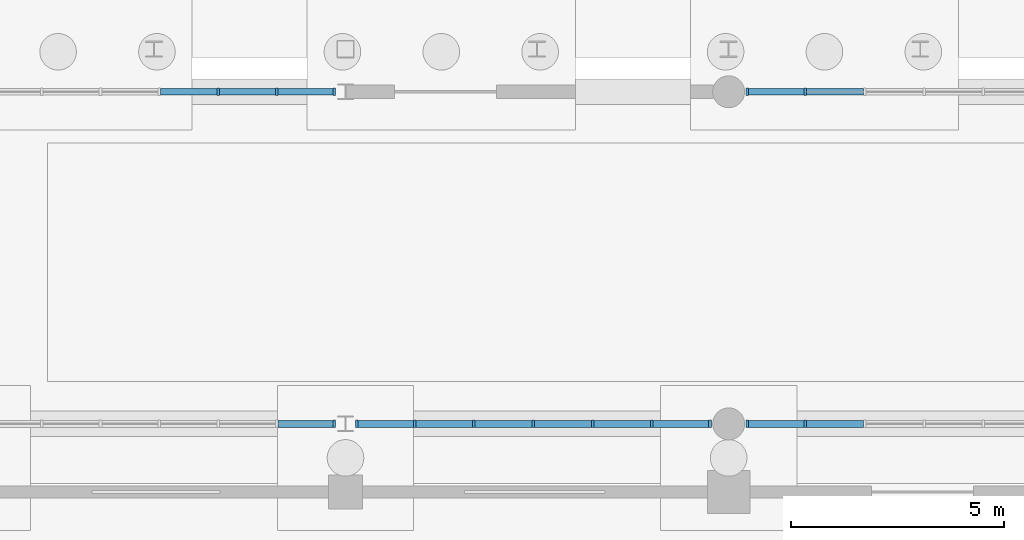
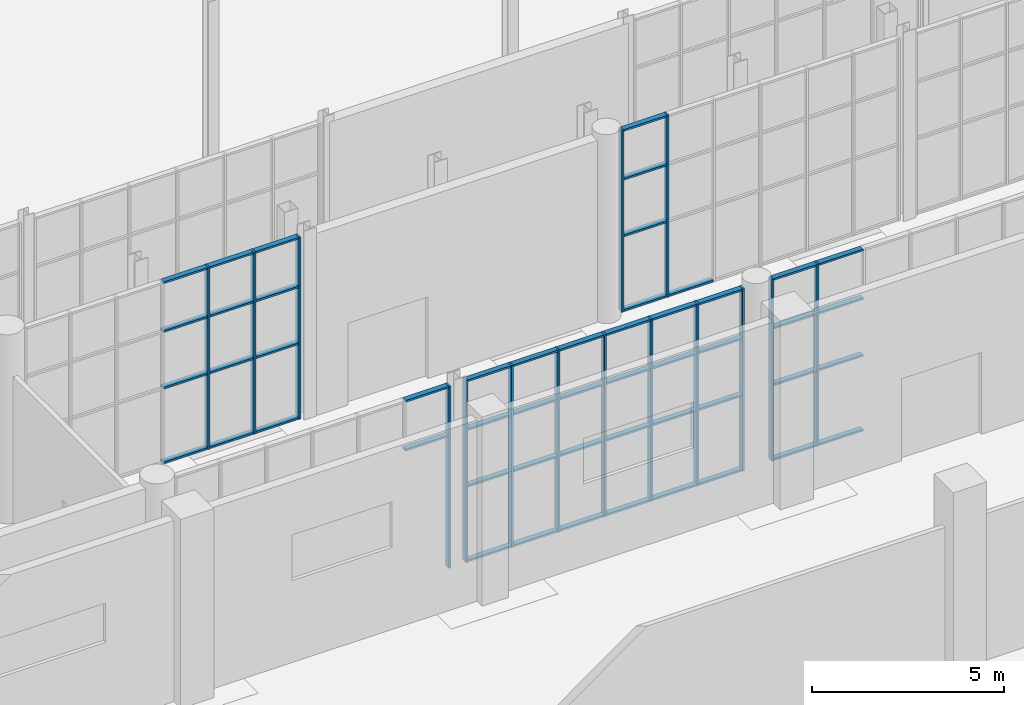
# One storey, part 47 of 131: 66 members, 5 elements without a shape of their own.
"""IFC4 building model written with IfcOpenShell, lengths in metres."""

from ifc_helpers import new_model, si_unit, direction, frame, origin, origin_2d, place, context, subcontext, project, spatial, rectangle, extrude, material, layer, layer_set, material_profile, profile_set, type_object, element, aggregate, save


model = new_model("IFC4")

# Units and contexts
model_context = context("Model", 3, precision=1e-05, world=origin(), true_north=direction((0.0, 1.0)))
body_context = subcontext(model_context, "Body", "Model", "MODEL_VIEW")
ifc_project = project(units=[si_unit("LENGTHUNIT", "METRE"), si_unit("AREAUNIT", "SQUARE_METRE"), si_unit("VOLUMEUNIT", "CUBIC_METRE"), si_unit("PLANEANGLEUNIT", "RADIAN"), si_unit("MASSUNIT", "GRAM", prefix="KILO")], contexts=[model_context])

# Site, building, storey
site_placement = place(None, origin())
site = spatial("IfcSite", under=ifc_project, at=site_placement, CompositionType="ELEMENT")
building_placement = place(site_placement, origin())
building = spatial("IfcBuilding", under=site, at=building_placement, Name="Cazmaro Siding Exhibition Halls", CompositionType="ELEMENT")
storey_placement = place(building_placement, origin())
storey = spatial("IfcBuildingStorey", under=building, at=storey_placement, Name="L00", CompositionType="ELEMENT", Elevation=0.0)

# Curtain wall, member
ifc_material_1 = material(Name="Anodized Bronze Aluminum and Solar-Control Low-E Glazing", Category="aluminium")
ifc_layer = layer(ifc_material_1, 0.179931640625)
ifc_layer_set = layer_set([ifc_layer], Name="Anodized Bronze Aluminum and Solar-Control Low-E Glazing")
curtain_wall_type = type_object("IfcCurtainWallType", Name="CWS-01", PredefinedType="USERDEFINED", material=ifc_layer_set)
curtain_wall_1_placement = place(storey_placement, origin())
curtain_wall_1 = element("IfcCurtainWall", 1, at=curtain_wall_1_placement, inside=storey, type_object=curtain_wall_type, Name="Glazed Curtain Wall CWS-01 CW-170", ObjectType="GLAZED CURTAIN WALL", PredefinedType="USERDEFINED")
ifc_material_2 = material(Name="Anodized Bronze Extruded Aluminum", Category="aluminium")
ifc_material_profile_1 = material_profile(ifc_material_2, rectangle(XDim=0.179931640625, YDim=0.06005859375, at=origin_2d()), Name="CWM-01")
ifc_profile_set_1 = profile_set([ifc_material_profile_1], Name="Anodized Bronze Extruded Aluminum")
member_type_1 = type_object("IfcMemberType", Name="CWM-01", PredefinedType="MULLION", material=ifc_profile_set_1)
member_1_placement = place(storey_placement, frame((98.739990234375, 55.199951171875, 0.0), z_axis=(0.0, 0.0, 1.0), x_axis=(0.0, 1.0, 0.0)))
member_1 = element("IfcMember", 2, at=member_1_placement, type_object=member_type_1, Name="CWS-01 mullion 7", PredefinedType="MULLION", context=body_context, shape_type="SweptSolid", body=[
    extrude(rectangle(XDim=0.179931640625, YDim=0.06005859375, at=origin_2d()), origin(), (0.0, 0.0, 1.0), 5.780029296875),
])

# Curtain wall, members
curtain_wall_2_placement = place(storey_placement, origin())
curtain_wall_2 = element("IfcCurtainWall", 3, at=curtain_wall_2_placement, inside=storey, type_object=curtain_wall_type, Name="Glazed Curtain Wall CWS-01 CW-171", ObjectType="GLAZED CURTAIN WALL", PredefinedType="USERDEFINED")
member_2_placement = place(storey_placement, frame((98.739990234375, 63.0, 0.0), z_axis=(0.0, 0.0, 1.0), x_axis=(0.0, -1.0, 0.0)))
member_2 = element("IfcMember", 4, at=member_2_placement, type_object=member_type_1, Name="CWS-01 mullion 1", PredefinedType="MULLION", context=body_context, shape_type="SweptSolid", body=[
    extrude(rectangle(XDim=0.179931640625, YDim=0.06005859375, at=origin_2d()), origin(), (0.0, 0.0, 1.0), 5.780029296875),
])
member_3_placement = place(storey_placement, frame((97.388916015625, 63.0, 0.0), z_axis=(0.0, 0.0, 1.0), x_axis=(0.0, -1.0, 0.0)))
member_3 = element("IfcMember", 5, at=member_3_placement, type_object=member_type_1, Name="CWS-01 mullion 2", PredefinedType="MULLION", context=body_context, shape_type="SweptSolid", body=[
    extrude(rectangle(XDim=0.179931640625, YDim=0.06005859375, at=origin_2d()), origin(), (0.0, 0.0, 1.0), 5.780029296875),
])
member_4_placement = place(storey_placement, frame((96.007568359375, 63.0, 0.0), z_axis=(0.0, 0.0, 1.0), x_axis=(0.0, -1.0, 0.0)))
member_4 = element("IfcMember", 6, at=member_4_placement, type_object=member_type_1, Name="CWS-01 mullion 3", PredefinedType="MULLION", context=body_context, shape_type="SweptSolid", body=[
    extrude(rectangle(XDim=0.179931640625, YDim=0.06005859375, at=origin_2d()), origin(), (0.0, 0.0, 1.0), 5.780029296875),
])

curtain_wall_3_placement = place(storey_placement, origin())
curtain_wall_3 = element("IfcCurtainWall", 7, at=curtain_wall_3_placement, inside=storey, type_object=curtain_wall_type, Name="Glazed Curtain Wall CWS-01 CW-176", ObjectType="GLAZED CURTAIN WALL", PredefinedType="USERDEFINED")
member_5_placement = place(storey_placement, frame((99.260009765625, 55.199951171875, 0.0), z_axis=(0.0, 0.0, 1.0), x_axis=(0.0, 1.0, 0.0)))
member_5 = element("IfcMember", 8, at=member_5_placement, type_object=member_type_1, Name="CWS-01 mullion 1", PredefinedType="MULLION", context=body_context, shape_type="SweptSolid", body=[
    extrude(rectangle(XDim=0.179931640625, YDim=0.06005859375, at=origin_2d()), origin(), (0.0, 0.0, 1.0), 5.780029296875),
])
member_6_placement = place(storey_placement, frame((100.623779296875, 55.199951171875, 0.0), z_axis=(0.0, 0.0, 1.0), x_axis=(0.0, 1.0, 0.0)))
member_6 = element("IfcMember", 9, at=member_6_placement, type_object=member_type_1, Name="CWS-01 mullion 2", PredefinedType="MULLION", context=body_context, shape_type="SweptSolid", body=[
    extrude(rectangle(XDim=0.179931640625, YDim=0.06005859375, at=origin_2d()), origin(), (0.0, 0.0, 1.0), 5.780029296875),
])
member_7_placement = place(storey_placement, frame((102.017333984375, 55.199951171875, 0.0), z_axis=(0.0, 0.0, 1.0), x_axis=(0.0, 1.0, 0.0)))
member_7 = element("IfcMember", 10, at=member_7_placement, type_object=member_type_1, Name="CWS-01 mullion 3", PredefinedType="MULLION", context=body_context, shape_type="SweptSolid", body=[
    extrude(rectangle(XDim=0.179931640625, YDim=0.06005859375, at=origin_2d()), origin(), (0.0, 0.0, 1.0), 5.780029296875),
])
member_8_placement = place(storey_placement, frame((103.410888671875, 55.199951171875, 0.0), z_axis=(0.0, 0.0, 1.0), x_axis=(0.0, 1.0, 0.0)))
member_8 = element("IfcMember", 11, at=member_8_placement, type_object=member_type_1, Name="CWS-01 mullion 4", PredefinedType="MULLION", context=body_context, shape_type="SweptSolid", body=[
    extrude(rectangle(XDim=0.179931640625, YDim=0.06005859375, at=origin_2d()), origin(), (0.0, 0.0, 1.0), 5.780029296875),
])
member_9_placement = place(storey_placement, frame((104.8046875, 55.199951171875, 0.0), z_axis=(0.0, 0.0, 1.0), x_axis=(0.0, 1.0, 0.0)))
member_9 = element("IfcMember", 12, at=member_9_placement, type_object=member_type_1, Name="CWS-01 mullion 5", PredefinedType="MULLION", context=body_context, shape_type="SweptSolid", body=[
    extrude(rectangle(XDim=0.179931640625, YDim=0.06005859375, at=origin_2d()), origin(), (0.0, 0.0, 1.0), 5.780029296875),
])
member_10_placement = place(storey_placement, frame((106.1982421875, 55.199951171875, 0.0), z_axis=(0.0, 0.0, 1.0), x_axis=(0.0, 1.0, 0.0)))
member_10 = element("IfcMember", 13, at=member_10_placement, type_object=member_type_1, Name="CWS-01 mullion 6", PredefinedType="MULLION", context=body_context, shape_type="SweptSolid", body=[
    extrude(rectangle(XDim=0.179931640625, YDim=0.06005859375, at=origin_2d()), origin(), (0.0, 0.0, 1.0), 5.780029296875),
])
member_11_placement = place(storey_placement, frame((107.56201171875, 55.199951171875, 0.0), z_axis=(0.0, 0.0, 1.0), x_axis=(0.0, 1.0, 0.0)))
member_11 = element("IfcMember", 14, at=member_11_placement, type_object=member_type_1, Name="CWS-01 mullion 7", PredefinedType="MULLION", context=body_context, shape_type="SweptSolid", body=[
    extrude(rectangle(XDim=0.179931640625, YDim=0.06005859375, at=origin_2d()), origin(), (0.0, 0.0, 1.0), 5.780029296875),
])

curtain_wall_4_placement = place(storey_placement, origin())
curtain_wall_4 = element("IfcCurtainWall", 15, at=curtain_wall_4_placement, inside=storey, type_object=curtain_wall_type, Name="Glazed Curtain Wall CWS-01 CW-179", ObjectType="GLAZED CURTAIN WALL", PredefinedType="USERDEFINED")
member_12_placement = place(storey_placement, frame((108.43798828125, 55.199951171875, 0.0), z_axis=(0.0, 0.0, 1.0), x_axis=(0.0, 1.0, 0.0)))
member_12 = element("IfcMember", 16, at=member_12_placement, type_object=member_type_1, Name="CWS-01 mullion 1", PredefinedType="MULLION", context=body_context, shape_type="SweptSolid", body=[
    extrude(rectangle(XDim=0.179931640625, YDim=0.06005859375, at=origin_2d()), origin(), (0.0, 0.0, 1.0), 5.780029296875),
])
member_13_placement = place(storey_placement, frame((109.8017578125, 55.199951171875, 0.0), z_axis=(0.0, 0.0, 1.0), x_axis=(0.0, 1.0, 0.0)))
member_13 = element("IfcMember", 17, at=member_13_placement, type_object=member_type_1, Name="CWS-01 mullion 2", PredefinedType="MULLION", context=body_context, shape_type="SweptSolid", body=[
    extrude(rectangle(XDim=0.179931640625, YDim=0.06005859375, at=origin_2d()), origin(), (0.0, 0.0, 1.0), 5.780029296875),
])

curtain_wall_5_placement = place(storey_placement, origin())
curtain_wall_5 = element("IfcCurtainWall", 18, at=curtain_wall_5_placement, inside=storey, type_object=curtain_wall_type, Name="Glazed Curtain Wall CWS-01 CW-180", ObjectType="GLAZED CURTAIN WALL", PredefinedType="USERDEFINED")
member_14_placement = place(storey_placement, frame((109.8017578125, 63.0, 0.0), z_axis=(0.0, 0.0, 1.0), x_axis=(0.0, -1.0, 0.0)))
member_14 = element("IfcMember", 19, at=member_14_placement, type_object=member_type_1, Name="CWS-01 mullion 6", PredefinedType="MULLION", context=body_context, shape_type="SweptSolid", body=[
    extrude(rectangle(XDim=0.179931640625, YDim=0.06005859375, at=origin_2d()), origin(), (0.0, 0.0, 1.0), 5.780029296875),
])
member_15_placement = place(storey_placement, frame((108.43798828125, 63.0, 0.0), z_axis=(0.0, 0.0, 1.0), x_axis=(0.0, -1.0, 0.0)))
member_15 = element("IfcMember", 20, at=member_15_placement, type_object=member_type_1, Name="CWS-01 mullion 7", PredefinedType="MULLION", context=body_context, shape_type="SweptSolid", body=[
    extrude(rectangle(XDim=0.179931640625, YDim=0.06005859375, at=origin_2d()), origin(), (0.0, 0.0, 1.0), 5.780029296875),
])

# Member
ifc_material_3 = material(Name="Anodized Bronze Extruded Aluminum", Category="aluminium")
ifc_material_profile_2 = material_profile(ifc_material_3, rectangle(XDim=0.159912109375, YDim=0.06005859375, at=origin_2d()), Name="CWT-01")
ifc_profile_set_2 = profile_set([ifc_material_profile_2], Name="Anodized Bronze Extruded Aluminum")
member_type_2 = type_object("IfcMemberType", Name="CWT-01", PredefinedType="MULLION", material=ifc_profile_set_2)
member_16_placement = place(storey_placement, frame((97.4189453125, 55.199951171875, 4.199951171875), z_axis=(1.0, 0.0, 0.0), x_axis=(0.0, 1.0, 0.0)))
member_16 = element("IfcMember", 21, at=member_16_placement, type_object=member_type_2, Name="CWS-01 transom 6.3", ObjectType="TRANSOM", PredefinedType="USERDEFINED", context=body_context, shape_type="SweptSolid", body=[
    extrude(rectangle(XDim=0.159912109375, YDim=0.06005859375, at=origin_2d()), origin(), (0.0, 0.0, 1.0), 1.291015625),
])

member_17_placement = place(storey_placement, frame((97.4189453125, 55.199951171875, 5.75), z_axis=(1.0, 0.0, 0.0), x_axis=(0.0, 1.0, 0.0)))
member_17 = element("IfcMember", 22, at=member_17_placement, type_object=member_type_2, Name="CWS-01 transom 6.4", ObjectType="TRANSOM", PredefinedType="USERDEFINED", context=body_context, shape_type="SweptSolid", body=[
    extrude(rectangle(XDim=0.159912109375, YDim=0.06005859375, at=origin_2d()), origin(), (0.0, 0.0, 1.0), 1.291015625),
])

aggregate(curtain_wall_1, [member_1, member_16, member_17])

member_18_placement = place(storey_placement, frame((98.7099609375, 63.0, 0.030029296875), z_axis=(-1.0, 0.0, 0.0), x_axis=(0.0, -1.0, 0.0)))
member_18 = element("IfcMember", 23, at=member_18_placement, type_object=member_type_2, Name="CWS-01 transom 1.1", ObjectType="TRANSOM", PredefinedType="USERDEFINED", context=body_context, shape_type="SweptSolid", body=[
    extrude(rectangle(XDim=0.159912109375, YDim=0.06005859375, at=origin_2d()), origin(), (0.0, 0.0, 1.0), 1.291015625),
])

member_19_placement = place(storey_placement, frame((98.7099609375, 63.0, 2.39990234375), z_axis=(-1.0, 0.0, 0.0), x_axis=(0.0, -1.0, 0.0)))
member_19 = element("IfcMember", 24, at=member_19_placement, type_object=member_type_2, Name="CWS-01 transom 1.2", ObjectType="TRANSOM", PredefinedType="USERDEFINED", context=body_context, shape_type="SweptSolid", body=[
    extrude(rectangle(XDim=0.159912109375, YDim=0.06005859375, at=origin_2d()), origin(), (0.0, 0.0, 1.0), 1.291015625),
])

member_20_placement = place(storey_placement, frame((98.7099609375, 63.0, 4.199951171875), z_axis=(-1.0, 0.0, 0.0), x_axis=(0.0, -1.0, 0.0)))
member_20 = element("IfcMember", 25, at=member_20_placement, type_object=member_type_2, Name="CWS-01 transom 1.3", ObjectType="TRANSOM", PredefinedType="USERDEFINED", context=body_context, shape_type="SweptSolid", body=[
    extrude(rectangle(XDim=0.159912109375, YDim=0.06005859375, at=origin_2d()), origin(), (0.0, 0.0, 1.0), 1.291015625),
])

member_21_placement = place(storey_placement, frame((98.7099609375, 63.0, 5.75), z_axis=(-1.0, 0.0, 0.0), x_axis=(0.0, -1.0, 0.0)))
member_21 = element("IfcMember", 26, at=member_21_placement, type_object=member_type_2, Name="CWS-01 transom 1.4", ObjectType="TRANSOM", PredefinedType="USERDEFINED", context=body_context, shape_type="SweptSolid", body=[
    extrude(rectangle(XDim=0.159912109375, YDim=0.06005859375, at=origin_2d()), origin(), (0.0, 0.0, 1.0), 1.291015625),
])

member_22_placement = place(storey_placement, frame((97.35888671875, 63.0, 0.030029296875), z_axis=(-1.0, 0.0, 0.0), x_axis=(0.0, -1.0, 0.0)))
member_22 = element("IfcMember", 27, at=member_22_placement, type_object=member_type_2, Name="CWS-01 transom 2.1", ObjectType="TRANSOM", PredefinedType="USERDEFINED", context=body_context, shape_type="SweptSolid", body=[
    extrude(rectangle(XDim=0.159912109375, YDim=0.06005859375, at=origin_2d()), origin(), (0.0, 0.0, 1.0), 1.3212890625),
])

member_23_placement = place(storey_placement, frame((97.35888671875, 63.0, 2.39990234375), z_axis=(-1.0, 0.0, 0.0), x_axis=(0.0, -1.0, 0.0)))
member_23 = element("IfcMember", 28, at=member_23_placement, type_object=member_type_2, Name="CWS-01 transom 2.2", ObjectType="TRANSOM", PredefinedType="USERDEFINED", context=body_context, shape_type="SweptSolid", body=[
    extrude(rectangle(XDim=0.159912109375, YDim=0.06005859375, at=origin_2d()), origin(), (0.0, 0.0, 1.0), 1.3212890625),
])

member_24_placement = place(storey_placement, frame((97.35888671875, 63.0, 4.199951171875), z_axis=(-1.0, 0.0, 0.0), x_axis=(0.0, -1.0, 0.0)))
member_24 = element("IfcMember", 29, at=member_24_placement, type_object=member_type_2, Name="CWS-01 transom 2.3", ObjectType="TRANSOM", PredefinedType="USERDEFINED", context=body_context, shape_type="SweptSolid", body=[
    extrude(rectangle(XDim=0.159912109375, YDim=0.06005859375, at=origin_2d()), origin(), (0.0, 0.0, 1.0), 1.3212890625),
])

member_25_placement = place(storey_placement, frame((97.35888671875, 63.0, 5.75), z_axis=(-1.0, 0.0, 0.0), x_axis=(0.0, -1.0, 0.0)))
member_25 = element("IfcMember", 30, at=member_25_placement, type_object=member_type_2, Name="CWS-01 transom 2.4", ObjectType="TRANSOM", PredefinedType="USERDEFINED", context=body_context, shape_type="SweptSolid", body=[
    extrude(rectangle(XDim=0.159912109375, YDim=0.06005859375, at=origin_2d()), origin(), (0.0, 0.0, 1.0), 1.3212890625),
])

member_26_placement = place(storey_placement, frame((95.977783203125, 63.0, 0.030029296875), z_axis=(-1.0, 0.0, 0.0), x_axis=(0.0, -1.0, 0.0)))
member_26 = element("IfcMember", 31, at=member_26_placement, type_object=member_type_2, Name="CWS-01 transom 3.1", ObjectType="TRANSOM", PredefinedType="USERDEFINED", context=body_context, shape_type="SweptSolid", body=[
    extrude(rectangle(XDim=0.159912109375, YDim=0.06005859375, at=origin_2d()), origin(), (0.0, 0.0, 1.0), 1.3212890625),
])

member_27_placement = place(storey_placement, frame((95.977783203125, 63.0, 2.39990234375), z_axis=(-1.0, 0.0, 0.0), x_axis=(0.0, -1.0, 0.0)))
member_27 = element("IfcMember", 32, at=member_27_placement, type_object=member_type_2, Name="CWS-01 transom 3.2", ObjectType="TRANSOM", PredefinedType="USERDEFINED", context=body_context, shape_type="SweptSolid", body=[
    extrude(rectangle(XDim=0.159912109375, YDim=0.06005859375, at=origin_2d()), origin(), (0.0, 0.0, 1.0), 1.3212890625),
])

member_28_placement = place(storey_placement, frame((95.977783203125, 63.0, 4.199951171875), z_axis=(-1.0, 0.0, 0.0), x_axis=(0.0, -1.0, 0.0)))
member_28 = element("IfcMember", 33, at=member_28_placement, type_object=member_type_2, Name="CWS-01 transom 3.3", ObjectType="TRANSOM", PredefinedType="USERDEFINED", context=body_context, shape_type="SweptSolid", body=[
    extrude(rectangle(XDim=0.159912109375, YDim=0.06005859375, at=origin_2d()), origin(), (0.0, 0.0, 1.0), 1.3212890625),
])

member_29_placement = place(storey_placement, frame((95.977783203125, 63.0, 5.75), z_axis=(-1.0, 0.0, 0.0), x_axis=(0.0, -1.0, 0.0)))
member_29 = element("IfcMember", 34, at=member_29_placement, type_object=member_type_2, Name="CWS-01 transom 3.4", ObjectType="TRANSOM", PredefinedType="USERDEFINED", context=body_context, shape_type="SweptSolid", body=[
    extrude(rectangle(XDim=0.159912109375, YDim=0.06005859375, at=origin_2d()), origin(), (0.0, 0.0, 1.0), 1.3212890625),
])

aggregate(curtain_wall_2, [member_2, member_3, member_4, member_18, member_19, member_20, member_21, member_22, member_23, member_24, member_25, member_26, member_27, member_28, member_29])

member_30_placement = place(storey_placement, frame((99.2900390625, 55.199951171875, 0.030029296875), z_axis=(1.0, 0.0, 0.0), x_axis=(0.0, 1.0, 0.0)))
member_30 = element("IfcMember", 35, at=member_30_placement, type_object=member_type_2, Name="CWS-01 transom 1.1", ObjectType="TRANSOM", PredefinedType="USERDEFINED", context=body_context, shape_type="SweptSolid", body=[
    extrude(rectangle(XDim=0.159912109375, YDim=0.06005859375, at=origin_2d()), origin(), (0.0, 0.0, 1.0), 1.3037109375),
])

member_31_placement = place(storey_placement, frame((99.2900390625, 55.199951171875, 2.39990234375), z_axis=(1.0, 0.0, 0.0), x_axis=(0.0, 1.0, 0.0)))
member_31 = element("IfcMember", 36, at=member_31_placement, type_object=member_type_2, Name="CWS-01 transom 1.2", ObjectType="TRANSOM", PredefinedType="USERDEFINED", context=body_context, shape_type="SweptSolid", body=[
    extrude(rectangle(XDim=0.159912109375, YDim=0.06005859375, at=origin_2d()), origin(), (0.0, 0.0, 1.0), 1.3037109375),
])

member_32_placement = place(storey_placement, frame((99.2900390625, 55.199951171875, 4.199951171875), z_axis=(1.0, 0.0, 0.0), x_axis=(0.0, 1.0, 0.0)))
member_32 = element("IfcMember", 37, at=member_32_placement, type_object=member_type_2, Name="CWS-01 transom 1.3", ObjectType="TRANSOM", PredefinedType="USERDEFINED", context=body_context, shape_type="SweptSolid", body=[
    extrude(rectangle(XDim=0.159912109375, YDim=0.06005859375, at=origin_2d()), origin(), (0.0, 0.0, 1.0), 1.3037109375),
])

member_33_placement = place(storey_placement, frame((99.2900390625, 55.199951171875, 5.75), z_axis=(1.0, 0.0, 0.0), x_axis=(0.0, 1.0, 0.0)))
member_33 = element("IfcMember", 38, at=member_33_placement, type_object=member_type_2, Name="CWS-01 transom 1.4", ObjectType="TRANSOM", PredefinedType="USERDEFINED", context=body_context, shape_type="SweptSolid", body=[
    extrude(rectangle(XDim=0.159912109375, YDim=0.06005859375, at=origin_2d()), origin(), (0.0, 0.0, 1.0), 1.3037109375),
])

member_34_placement = place(storey_placement, frame((100.653564453125, 55.199951171875, 0.030029296875), z_axis=(1.0, 0.0, 0.0), x_axis=(0.0, 1.0, 0.0)))
member_34 = element("IfcMember", 39, at=member_34_placement, type_object=member_type_2, Name="CWS-01 transom 2.1", ObjectType="TRANSOM", PredefinedType="USERDEFINED", context=body_context, shape_type="SweptSolid", body=[
    extrude(rectangle(XDim=0.159912109375, YDim=0.06005859375, at=origin_2d()), origin(), (0.0, 0.0, 1.0), 1.333740234375),
])

member_35_placement = place(storey_placement, frame((100.653564453125, 55.199951171875, 2.39990234375), z_axis=(1.0, 0.0, 0.0), x_axis=(0.0, 1.0, 0.0)))
member_35 = element("IfcMember", 40, at=member_35_placement, type_object=member_type_2, Name="CWS-01 transom 2.2", ObjectType="TRANSOM", PredefinedType="USERDEFINED", context=body_context, shape_type="SweptSolid", body=[
    extrude(rectangle(XDim=0.159912109375, YDim=0.06005859375, at=origin_2d()), origin(), (0.0, 0.0, 1.0), 1.333740234375),
])

member_36_placement = place(storey_placement, frame((100.653564453125, 55.199951171875, 4.199951171875), z_axis=(1.0, 0.0, 0.0), x_axis=(0.0, 1.0, 0.0)))
member_36 = element("IfcMember", 41, at=member_36_placement, type_object=member_type_2, Name="CWS-01 transom 2.3", ObjectType="TRANSOM", PredefinedType="USERDEFINED", context=body_context, shape_type="SweptSolid", body=[
    extrude(rectangle(XDim=0.159912109375, YDim=0.06005859375, at=origin_2d()), origin(), (0.0, 0.0, 1.0), 1.333740234375),
])

member_37_placement = place(storey_placement, frame((100.653564453125, 55.199951171875, 5.75), z_axis=(1.0, 0.0, 0.0), x_axis=(0.0, 1.0, 0.0)))
member_37 = element("IfcMember", 42, at=member_37_placement, type_object=member_type_2, Name="CWS-01 transom 2.4", ObjectType="TRANSOM", PredefinedType="USERDEFINED", context=body_context, shape_type="SweptSolid", body=[
    extrude(rectangle(XDim=0.159912109375, YDim=0.06005859375, at=origin_2d()), origin(), (0.0, 0.0, 1.0), 1.333740234375),
])

member_38_placement = place(storey_placement, frame((102.04736328125, 55.199951171875, 0.030029296875), z_axis=(1.0, 0.0, 0.0), x_axis=(0.0, 1.0, 0.0)))
member_38 = element("IfcMember", 43, at=member_38_placement, type_object=member_type_2, Name="CWS-01 transom 3.1", ObjectType="TRANSOM", PredefinedType="USERDEFINED", context=body_context, shape_type="SweptSolid", body=[
    extrude(rectangle(XDim=0.159912109375, YDim=0.06005859375, at=origin_2d()), origin(), (0.0, 0.0, 1.0), 1.333740234375),
])

member_39_placement = place(storey_placement, frame((102.04736328125, 55.199951171875, 2.39990234375), z_axis=(1.0, 0.0, 0.0), x_axis=(0.0, 1.0, 0.0)))
member_39 = element("IfcMember", 44, at=member_39_placement, type_object=member_type_2, Name="CWS-01 transom 3.2", ObjectType="TRANSOM", PredefinedType="USERDEFINED", context=body_context, shape_type="SweptSolid", body=[
    extrude(rectangle(XDim=0.159912109375, YDim=0.06005859375, at=origin_2d()), origin(), (0.0, 0.0, 1.0), 1.333740234375),
])

member_40_placement = place(storey_placement, frame((102.04736328125, 55.199951171875, 4.199951171875), z_axis=(1.0, 0.0, 0.0), x_axis=(0.0, 1.0, 0.0)))
member_40 = element("IfcMember", 45, at=member_40_placement, type_object=member_type_2, Name="CWS-01 transom 3.3", ObjectType="TRANSOM", PredefinedType="USERDEFINED", context=body_context, shape_type="SweptSolid", body=[
    extrude(rectangle(XDim=0.159912109375, YDim=0.06005859375, at=origin_2d()), origin(), (0.0, 0.0, 1.0), 1.333740234375),
])

member_41_placement = place(storey_placement, frame((102.04736328125, 55.199951171875, 5.75), z_axis=(1.0, 0.0, 0.0), x_axis=(0.0, 1.0, 0.0)))
member_41 = element("IfcMember", 46, at=member_41_placement, type_object=member_type_2, Name="CWS-01 transom 3.4", ObjectType="TRANSOM", PredefinedType="USERDEFINED", context=body_context, shape_type="SweptSolid", body=[
    extrude(rectangle(XDim=0.159912109375, YDim=0.06005859375, at=origin_2d()), origin(), (0.0, 0.0, 1.0), 1.333740234375),
])

member_42_placement = place(storey_placement, frame((103.44091796875, 55.199951171875, 0.030029296875), z_axis=(1.0, 0.0, 0.0), x_axis=(0.0, 1.0, 0.0)))
member_42 = element("IfcMember", 47, at=member_42_placement, type_object=member_type_2, Name="CWS-01 transom 4.1", ObjectType="TRANSOM", PredefinedType="USERDEFINED", context=body_context, shape_type="SweptSolid", body=[
    extrude(rectangle(XDim=0.159912109375, YDim=0.06005859375, at=origin_2d()), origin(), (0.0, 0.0, 1.0), 1.333740234375),
])

member_43_placement = place(storey_placement, frame((103.44091796875, 55.199951171875, 2.39990234375), z_axis=(1.0, 0.0, 0.0), x_axis=(0.0, 1.0, 0.0)))
member_43 = element("IfcMember", 48, at=member_43_placement, type_object=member_type_2, Name="CWS-01 transom 4.2", ObjectType="TRANSOM", PredefinedType="USERDEFINED", context=body_context, shape_type="SweptSolid", body=[
    extrude(rectangle(XDim=0.159912109375, YDim=0.06005859375, at=origin_2d()), origin(), (0.0, 0.0, 1.0), 1.333740234375),
])

member_44_placement = place(storey_placement, frame((103.44091796875, 55.199951171875, 4.199951171875), z_axis=(1.0, 0.0, 0.0), x_axis=(0.0, 1.0, 0.0)))
member_44 = element("IfcMember", 49, at=member_44_placement, type_object=member_type_2, Name="CWS-01 transom 4.3", ObjectType="TRANSOM", PredefinedType="USERDEFINED", context=body_context, shape_type="SweptSolid", body=[
    extrude(rectangle(XDim=0.159912109375, YDim=0.06005859375, at=origin_2d()), origin(), (0.0, 0.0, 1.0), 1.333740234375),
])

member_45_placement = place(storey_placement, frame((103.44091796875, 55.199951171875, 5.75), z_axis=(1.0, 0.0, 0.0), x_axis=(0.0, 1.0, 0.0)))
member_45 = element("IfcMember", 50, at=member_45_placement, type_object=member_type_2, Name="CWS-01 transom 4.4", ObjectType="TRANSOM", PredefinedType="USERDEFINED", context=body_context, shape_type="SweptSolid", body=[
    extrude(rectangle(XDim=0.159912109375, YDim=0.06005859375, at=origin_2d()), origin(), (0.0, 0.0, 1.0), 1.333740234375),
])

member_46_placement = place(storey_placement, frame((104.834716796875, 55.199951171875, 0.030029296875), z_axis=(1.0, 0.0, 0.0), x_axis=(0.0, 1.0, 0.0)))
member_46 = element("IfcMember", 51, at=member_46_placement, type_object=member_type_2, Name="CWS-01 transom 5.1", ObjectType="TRANSOM", PredefinedType="USERDEFINED", context=body_context, shape_type="SweptSolid", body=[
    extrude(rectangle(XDim=0.159912109375, YDim=0.06005859375, at=origin_2d()), origin(), (0.0, 0.0, 1.0), 1.33349609375),
])

member_47_placement = place(storey_placement, frame((104.834716796875, 55.199951171875, 2.39990234375), z_axis=(1.0, 0.0, 0.0), x_axis=(0.0, 1.0, 0.0)))
member_47 = element("IfcMember", 52, at=member_47_placement, type_object=member_type_2, Name="CWS-01 transom 5.2", ObjectType="TRANSOM", PredefinedType="USERDEFINED", context=body_context, shape_type="SweptSolid", body=[
    extrude(rectangle(XDim=0.159912109375, YDim=0.06005859375, at=origin_2d()), origin(), (0.0, 0.0, 1.0), 1.33349609375),
])

member_48_placement = place(storey_placement, frame((104.834716796875, 55.199951171875, 4.199951171875), z_axis=(1.0, 0.0, 0.0), x_axis=(0.0, 1.0, 0.0)))
member_48 = element("IfcMember", 53, at=member_48_placement, type_object=member_type_2, Name="CWS-01 transom 5.3", ObjectType="TRANSOM", PredefinedType="USERDEFINED", context=body_context, shape_type="SweptSolid", body=[
    extrude(rectangle(XDim=0.159912109375, YDim=0.06005859375, at=origin_2d()), origin(), (0.0, 0.0, 1.0), 1.33349609375),
])

member_49_placement = place(storey_placement, frame((104.834716796875, 55.199951171875, 5.75), z_axis=(1.0, 0.0, 0.0), x_axis=(0.0, 1.0, 0.0)))
member_49 = element("IfcMember", 54, at=member_49_placement, type_object=member_type_2, Name="CWS-01 transom 5.4", ObjectType="TRANSOM", PredefinedType="USERDEFINED", context=body_context, shape_type="SweptSolid", body=[
    extrude(rectangle(XDim=0.159912109375, YDim=0.06005859375, at=origin_2d()), origin(), (0.0, 0.0, 1.0), 1.33349609375),
])

member_50_placement = place(storey_placement, frame((106.228271484375, 55.199951171875, 0.030029296875), z_axis=(1.0, 0.0, 0.0), x_axis=(0.0, 1.0, 0.0)))
member_50 = element("IfcMember", 55, at=member_50_placement, type_object=member_type_2, Name="CWS-01 transom 6.1", ObjectType="TRANSOM", PredefinedType="USERDEFINED", context=body_context, shape_type="SweptSolid", body=[
    extrude(rectangle(XDim=0.159912109375, YDim=0.06005859375, at=origin_2d()), origin(), (0.0, 0.0, 1.0), 1.3037109375),
])

member_51_placement = place(storey_placement, frame((106.228271484375, 55.199951171875, 2.39990234375), z_axis=(1.0, 0.0, 0.0), x_axis=(0.0, 1.0, 0.0)))
member_51 = element("IfcMember", 56, at=member_51_placement, type_object=member_type_2, Name="CWS-01 transom 6.2", ObjectType="TRANSOM", PredefinedType="USERDEFINED", context=body_context, shape_type="SweptSolid", body=[
    extrude(rectangle(XDim=0.159912109375, YDim=0.06005859375, at=origin_2d()), origin(), (0.0, 0.0, 1.0), 1.3037109375),
])

member_52_placement = place(storey_placement, frame((106.228271484375, 55.199951171875, 4.199951171875), z_axis=(1.0, 0.0, 0.0), x_axis=(0.0, 1.0, 0.0)))
member_52 = element("IfcMember", 57, at=member_52_placement, type_object=member_type_2, Name="CWS-01 transom 6.3", ObjectType="TRANSOM", PredefinedType="USERDEFINED", context=body_context, shape_type="SweptSolid", body=[
    extrude(rectangle(XDim=0.159912109375, YDim=0.06005859375, at=origin_2d()), origin(), (0.0, 0.0, 1.0), 1.3037109375),
])

member_53_placement = place(storey_placement, frame((106.228271484375, 55.199951171875, 5.75), z_axis=(1.0, 0.0, 0.0), x_axis=(0.0, 1.0, 0.0)))
member_53 = element("IfcMember", 58, at=member_53_placement, type_object=member_type_2, Name="CWS-01 transom 6.4", ObjectType="TRANSOM", PredefinedType="USERDEFINED", context=body_context, shape_type="SweptSolid", body=[
    extrude(rectangle(XDim=0.159912109375, YDim=0.06005859375, at=origin_2d()), origin(), (0.0, 0.0, 1.0), 1.3037109375),
])

aggregate(curtain_wall_3, [member_5, member_6, member_7, member_8, member_9, member_10, member_11, member_30, member_31, member_32, member_33, member_34, member_35, member_36, member_37, member_38, member_39, member_40, member_41, member_42, member_43, member_44, member_45, member_46, member_47, member_48, member_49, member_50, member_51, member_52, member_53])

member_54_placement = place(storey_placement, frame((108.468017578125, 55.199951171875, 0.030029296875), z_axis=(1.0, 0.0, 0.0), x_axis=(0.0, 1.0, 0.0)))
member_54 = element("IfcMember", 59, at=member_54_placement, type_object=member_type_2, Name="CWS-01 transom 1.1", ObjectType="TRANSOM", PredefinedType="USERDEFINED", context=body_context, shape_type="SweptSolid", body=[
    extrude(rectangle(XDim=0.159912109375, YDim=0.06005859375, at=origin_2d()), origin(), (0.0, 0.0, 1.0), 1.3037109375),
])

member_55_placement = place(storey_placement, frame((108.468017578125, 55.199951171875, 2.39990234375), z_axis=(1.0, 0.0, 0.0), x_axis=(0.0, 1.0, 0.0)))
member_55 = element("IfcMember", 60, at=member_55_placement, type_object=member_type_2, Name="CWS-01 transom 1.2", ObjectType="TRANSOM", PredefinedType="USERDEFINED", context=body_context, shape_type="SweptSolid", body=[
    extrude(rectangle(XDim=0.159912109375, YDim=0.06005859375, at=origin_2d()), origin(), (0.0, 0.0, 1.0), 1.3037109375),
])

member_56_placement = place(storey_placement, frame((108.468017578125, 55.199951171875, 4.199951171875), z_axis=(1.0, 0.0, 0.0), x_axis=(0.0, 1.0, 0.0)))
member_56 = element("IfcMember", 61, at=member_56_placement, type_object=member_type_2, Name="CWS-01 transom 1.3", ObjectType="TRANSOM", PredefinedType="USERDEFINED", context=body_context, shape_type="SweptSolid", body=[
    extrude(rectangle(XDim=0.159912109375, YDim=0.06005859375, at=origin_2d()), origin(), (0.0, 0.0, 1.0), 1.3037109375),
])

member_57_placement = place(storey_placement, frame((108.468017578125, 55.199951171875, 5.75), z_axis=(1.0, 0.0, 0.0), x_axis=(0.0, 1.0, 0.0)))
member_57 = element("IfcMember", 62, at=member_57_placement, type_object=member_type_2, Name="CWS-01 transom 1.4", ObjectType="TRANSOM", PredefinedType="USERDEFINED", context=body_context, shape_type="SweptSolid", body=[
    extrude(rectangle(XDim=0.159912109375, YDim=0.06005859375, at=origin_2d()), origin(), (0.0, 0.0, 1.0), 1.3037109375),
])

member_58_placement = place(storey_placement, frame((109.831787109375, 55.199951171875, 0.030029296875), z_axis=(1.0, 0.0, 0.0), x_axis=(0.0, 1.0, 0.0)))
member_58 = element("IfcMember", 63, at=member_58_placement, type_object=member_type_2, Name="CWS-01 transom 2.1", ObjectType="TRANSOM", PredefinedType="USERDEFINED", context=body_context, shape_type="SweptSolid", body=[
    extrude(rectangle(XDim=0.159912109375, YDim=0.06005859375, at=origin_2d()), origin(), (0.0, 0.0, 1.0), 1.33349609375),
])

member_59_placement = place(storey_placement, frame((109.831787109375, 55.199951171875, 2.39990234375), z_axis=(1.0, 0.0, 0.0), x_axis=(0.0, 1.0, 0.0)))
member_59 = element("IfcMember", 64, at=member_59_placement, type_object=member_type_2, Name="CWS-01 transom 2.2", ObjectType="TRANSOM", PredefinedType="USERDEFINED", context=body_context, shape_type="SweptSolid", body=[
    extrude(rectangle(XDim=0.159912109375, YDim=0.06005859375, at=origin_2d()), origin(), (0.0, 0.0, 1.0), 1.33349609375),
])

member_60_placement = place(storey_placement, frame((109.831787109375, 55.199951171875, 4.199951171875), z_axis=(1.0, 0.0, 0.0), x_axis=(0.0, 1.0, 0.0)))
member_60 = element("IfcMember", 65, at=member_60_placement, type_object=member_type_2, Name="CWS-01 transom 2.3", ObjectType="TRANSOM", PredefinedType="USERDEFINED", context=body_context, shape_type="SweptSolid", body=[
    extrude(rectangle(XDim=0.159912109375, YDim=0.06005859375, at=origin_2d()), origin(), (0.0, 0.0, 1.0), 1.33349609375),
])

member_61_placement = place(storey_placement, frame((109.831787109375, 55.199951171875, 5.75), z_axis=(1.0, 0.0, 0.0), x_axis=(0.0, 1.0, 0.0)))
member_61 = element("IfcMember", 66, at=member_61_placement, type_object=member_type_2, Name="CWS-01 transom 2.4", ObjectType="TRANSOM", PredefinedType="USERDEFINED", context=body_context, shape_type="SweptSolid", body=[
    extrude(rectangle(XDim=0.159912109375, YDim=0.06005859375, at=origin_2d()), origin(), (0.0, 0.0, 1.0), 1.33349609375),
])

aggregate(curtain_wall_4, [member_12, member_13, member_54, member_55, member_56, member_57, member_58, member_59, member_60, member_61])

member_62_placement = place(storey_placement, frame((111.165283203125, 63.0, 0.030029296875), z_axis=(-1.0, 0.0, 0.0), x_axis=(0.0, -1.0, 0.0)))
member_62 = element("IfcMember", 67, at=member_62_placement, type_object=member_type_2, Name="CWS-01 transom 5.1", ObjectType="TRANSOM", PredefinedType="USERDEFINED", context=body_context, shape_type="SweptSolid", body=[
    extrude(rectangle(XDim=0.159912109375, YDim=0.06005859375, at=origin_2d()), origin(), (0.0, 0.0, 1.0), 1.33349609375),
])

member_63_placement = place(storey_placement, frame((109.771728515625, 63.0, 0.030029296875), z_axis=(-1.0, 0.0, 0.0), x_axis=(0.0, -1.0, 0.0)))
member_63 = element("IfcMember", 68, at=member_63_placement, type_object=member_type_2, Name="CWS-01 transom 6.1", ObjectType="TRANSOM", PredefinedType="USERDEFINED", context=body_context, shape_type="SweptSolid", body=[
    extrude(rectangle(XDim=0.159912109375, YDim=0.06005859375, at=origin_2d()), origin(), (0.0, 0.0, 1.0), 1.3037109375),
])

member_64_placement = place(storey_placement, frame((109.771728515625, 63.0, 2.39990234375), z_axis=(-1.0, 0.0, 0.0), x_axis=(0.0, -1.0, 0.0)))
member_64 = element("IfcMember", 69, at=member_64_placement, type_object=member_type_2, Name="CWS-01 transom 6.2", ObjectType="TRANSOM", PredefinedType="USERDEFINED", context=body_context, shape_type="SweptSolid", body=[
    extrude(rectangle(XDim=0.159912109375, YDim=0.06005859375, at=origin_2d()), origin(), (0.0, 0.0, 1.0), 1.3037109375),
])

member_65_placement = place(storey_placement, frame((109.771728515625, 63.0, 4.199951171875), z_axis=(-1.0, 0.0, 0.0), x_axis=(0.0, -1.0, 0.0)))
member_65 = element("IfcMember", 70, at=member_65_placement, type_object=member_type_2, Name="CWS-01 transom 6.3", ObjectType="TRANSOM", PredefinedType="USERDEFINED", context=body_context, shape_type="SweptSolid", body=[
    extrude(rectangle(XDim=0.159912109375, YDim=0.06005859375, at=origin_2d()), origin(), (0.0, 0.0, 1.0), 1.3037109375),
])

member_66_placement = place(storey_placement, frame((109.771728515625, 63.0, 5.75), z_axis=(-1.0, 0.0, 0.0), x_axis=(0.0, -1.0, 0.0)))
member_66 = element("IfcMember", 71, at=member_66_placement, type_object=member_type_2, Name="CWS-01 transom 6.4", ObjectType="TRANSOM", PredefinedType="USERDEFINED", context=body_context, shape_type="SweptSolid", body=[
    extrude(rectangle(XDim=0.159912109375, YDim=0.06005859375, at=origin_2d()), origin(), (0.0, 0.0, 1.0), 1.3037109375),
])

aggregate(curtain_wall_5, [member_14, member_15, member_62, member_63, member_64, member_65, member_66])

save(model, "model.ifc")
